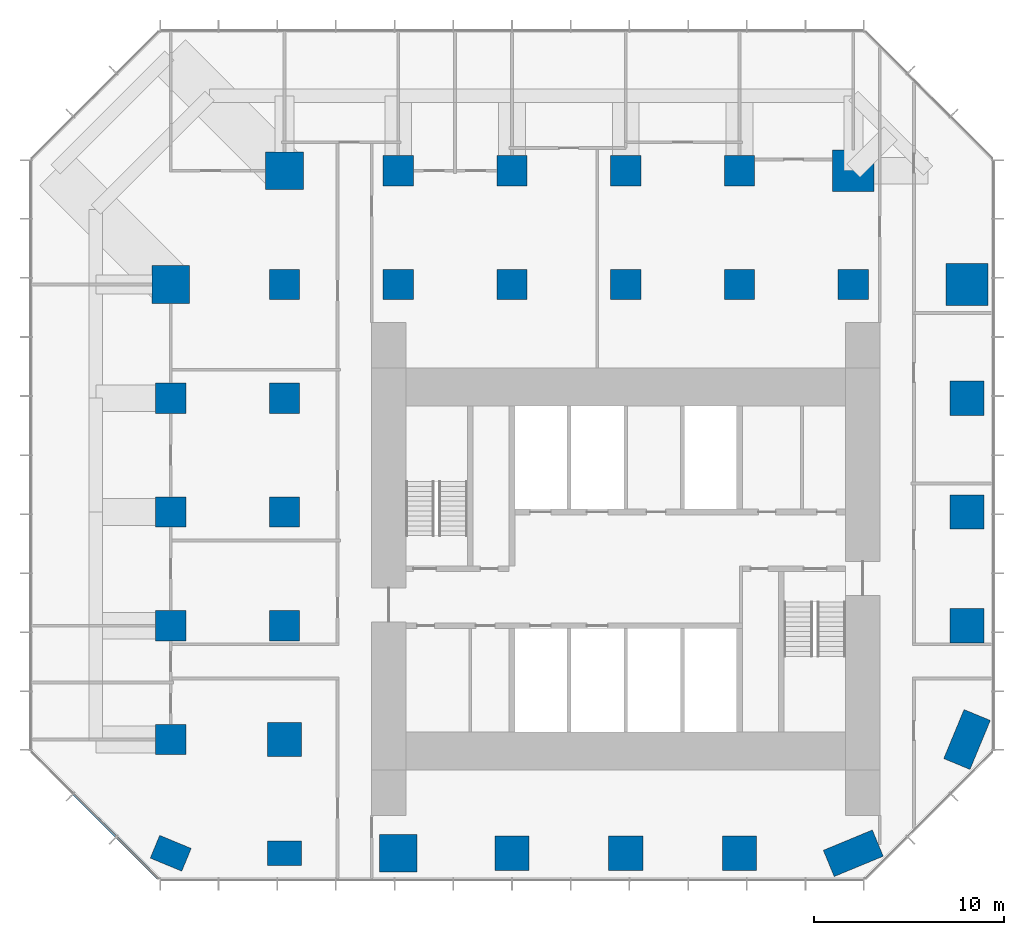
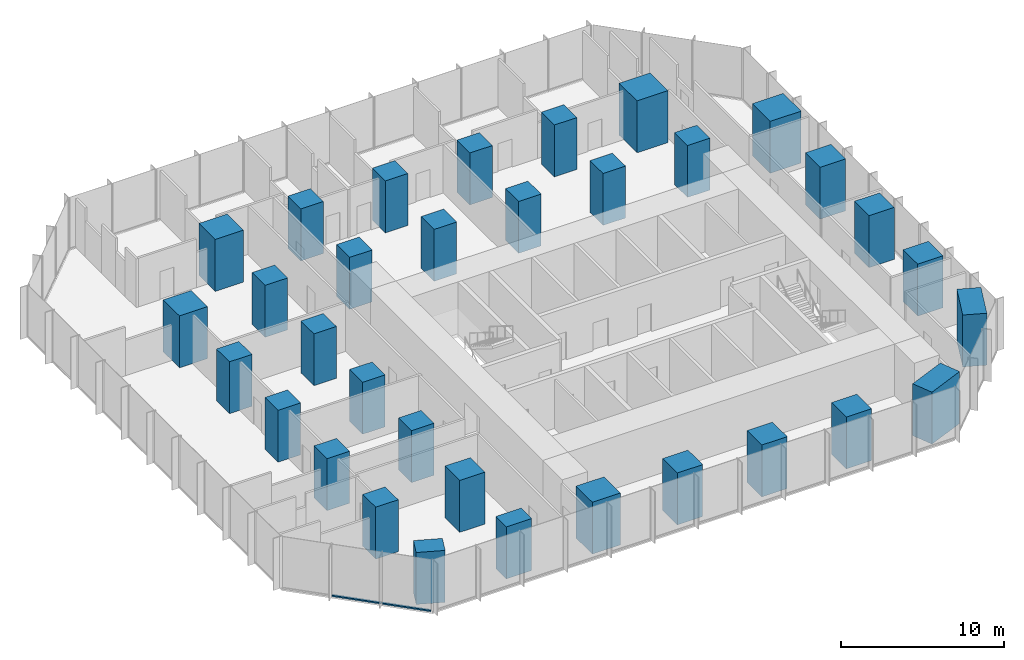
# One storey, part 1 of 12: 33 columns, 2 members, 1 element without a shape of its own.
"""IFC4 building model written with IfcOpenShell, lengths in metres."""

from ifc_helpers import new_model, si_unit, direction, frame, origin, origin_2d, place, context, subcontext, project, spatial, rectangle, extrude, material, layer, layer_set, material_profile, profile_set, type_object, element, aggregate, save


model = new_model("IFC4")

# Units and contexts
model_context = context("Model", 3, precision=1e-05, world=origin(), true_north=direction((0.0, 1.0)))
body_context = subcontext(model_context, "Body", "Model", "MODEL_VIEW")
ifc_project = project(units=[si_unit("LENGTHUNIT", "METRE"), si_unit("AREAUNIT", "SQUARE_METRE"), si_unit("VOLUMEUNIT", "CUBIC_METRE"), si_unit("PLANEANGLEUNIT", "RADIAN"), si_unit("MASSUNIT", "GRAM", prefix="KILO")], contexts=[model_context])

# Site, building, storey
site_placement = place(None, origin())
site = spatial("IfcSite", under=ifc_project, at=site_placement, CompositionType="ELEMENT")
building_placement = place(site_placement, origin())
building = spatial("IfcBuilding", under=site, at=building_placement, Name="Highveld Stack Headquarters", CompositionType="ELEMENT")
storey_placement = place(building_placement, frame((0.0, 0.0, 101.60009765625)))
storey = spatial("IfcBuildingStorey", under=building, at=storey_placement, Name="L24", CompositionType="ELEMENT", Elevation=101.60009765625)

# Columns
ifc_material_1 = material(Name="Concrete C60/75", Category="concrete")
ifc_material_profile_1 = material_profile(ifc_material_1, rectangle(XDim=1.60009765625, YDim=1.60009765625, at=origin_2d()), Name="RC 1600x1600")
ifc_profile_set_1 = profile_set([ifc_material_profile_1], Name="Concrete C60/75")
column_type_1 = type_object("IfcColumnType", Name="COLUMN RC 1600x1600 C60/75", PredefinedType="COLUMN", material=ifc_profile_set_1)
for number, where, z_axis, x_axis, name in (
    (1, (-18.0, -6.0, 0.0), (0.0, 0.0, 1.0), (1.0, 0.0, 0.0), "Column 3/D L24"),
    (2, (-18.0, 0.0, 0.0), (0.0, 0.0, 1.0), (1.0, 0.0, 0.0), "Column 3/E L24"),
    (3, (-18.0, 6.0, 0.0), (0.0, 0.0, 1.0), (1.0, 0.0, 0.0), "Column 3/F L24"),
    (4, (-18.0, 12.0, 0.0), (0.0, 0.0, 1.0), (1.0, 0.0, 0.0), "Column 3/G L24"),
    (5, (-12.0, 0.0, 0.0), (0.0, 0.0, 1.0), (1.0, 0.0, 0.0), "Column 4/E L24"),
    (6, (-12.0, 6.0, 0.0), (0.0, 0.0, 1.0), (1.0, 0.0, 0.0), "Column 4/F L24"),
    (7, (-12.0, 12.0, 0.0), (0.0, 0.0, 1.0), (1.0, 0.0, 0.0), "Column 4/G L24"),
    (8, (-12.0, 18.0, 0.0), (0.0, 0.0, 1.0), (1.0, 0.0, 0.0), "Column 4/H L24"),
    (9, (-6.0, 18.0, 0.0), (0.0, 0.0, 1.0), (1.0, 0.0, 0.0), "Column 5/H L24"),
    (10, (-6.0, 24.0, 0.0), (0.0, 0.0, 1.0), (1.0, 0.0, 0.0), "Column 5/J L24"),
    (11, (0.0, 18.0, 0.0), (0.0, 0.0, 1.0), (1.0, 0.0, 0.0), "Column 6/H L24"),
    (12, (0.0, 24.0, 0.0), (0.0, 0.0, 1.0), (1.0, 0.0, 0.0), "Column 6/J L24"),
    (13, (6.0, 18.0, 0.0), (0.0, 0.0, 1.0), (1.0, 0.0, 0.0), "Column 7/H L24"),
    (14, (6.0, 24.0, 0.0), (0.0, 0.0, 1.0), (1.0, 0.0, 0.0), "Column 7/J L24"),
    (15, (12.0, 18.0, 0.0), (0.0, 0.0, 1.0), (1.0, 0.0, 0.0), "Column 8/H L24"),
    (16, (12.0, 24.0, 0.0), (0.0, 0.0, 1.0), (1.0, 0.0, 0.0), "Column 8/J L24"),
    (17, (18.0, 18.0, 0.0), (0.0, 0.0, 1.0), (1.0, 0.0, 0.0), "Column 9/H L24"),
):
    element("IfcColumn", number, at=place(storey_placement, frame(where, z_axis=z_axis, x_axis=x_axis)), inside=storey, type_object=column_type_1, Name=name, PredefinedType="COLUMN", context=body_context, shape_type="SweptSolid", body=[
        extrude(rectangle(XDim=1.60009765625, YDim=1.60009765625, at=origin_2d()), origin(), (0.0, 0.0, 1.0), 3.89990234375),
    ])
ifc_material_2 = material(Name="Concrete C60/75", Category="concrete")
ifc_material_profile_2 = material_profile(ifc_material_2, rectangle(XDim=1.800048828125, YDim=1.300048828125, at=origin_2d()), Name="RC 1800x1300")
ifc_profile_set_2 = profile_set([ifc_material_profile_2], Name="Concrete C60/75")
column_type_2 = type_object("IfcColumnType", Name="COLUMN RC 1800x1300 C60/75", PredefinedType="COLUMN", material=ifc_profile_set_2)
for number, where, z_axis, x_axis, name in (
    (18, (-18.0, -12.0, 0.0), (0.0, 0.0, 1.0), (-0.923879532511, 0.382683432365, 0.0), "Column 3/C L24"),
    (19, (-12.0, -12.0, 0.0), (0.0, 0.0, 1.0), (1.0, 0.0, 0.0), "Column 4/C L24"),
):
    element("IfcColumn", number, at=place(storey_placement, frame(where, z_axis=z_axis, x_axis=x_axis)), inside=storey, type_object=column_type_2, Name=name, PredefinedType="COLUMN", context=body_context, shape_type="SweptSolid", body=[
        extrude(rectangle(XDim=1.800048828125, YDim=1.300048828125, at=origin_2d()), origin(), (0.0, 0.0, 1.0), 3.89990234375),
    ])
ifc_material_3 = material(Name="Concrete C60/75", Category="concrete")
ifc_material_profile_3 = material_profile(ifc_material_3, rectangle(XDim=1.800048828125, YDim=1.800048828125, at=origin_2d()), Name="RC 1800x1800")
ifc_profile_set_3 = profile_set([ifc_material_profile_3], Name="Concrete C60/75")
column_type_3 = type_object("IfcColumnType", Name="COLUMN RC 1800x1800 C60/75", PredefinedType="COLUMN", material=ifc_profile_set_3)
for number, where, z_axis, x_axis, name in (
    (20, (-12.0, -6.0, 0.0), (0.0, 0.0, 1.0), (1.0, 0.0, 0.0), "Column 4/D L24"),
    (21, (0.0, -12.0, 0.0), (0.0, 0.0, 1.0), (1.0, 0.0, 0.0), "Column 6/C L24"),
    (22, (6.0, -12.0, 0.0), (0.0, 0.0, 1.0), (1.0, 0.0, 0.0), "Column 7/C L24"),
    (23, (12.0, -12.0, 0.0), (0.0, 0.0, 1.0), (1.0, 0.0, 0.0), "Column 8/C L24"),
    (24, (24.0, 0.0, 0.0), (0.0, 0.0, 1.0), (1.0, 0.0, 0.0), "Column 10/E L24"),
    (25, (24.0, 6.0, 0.0), (0.0, 0.0, 1.0), (1.0, 0.0, 0.0), "Column 10/F L24"),
    (26, (24.0, 12.0, 0.0), (0.0, 0.0, 1.0), (1.0, 0.0, 0.0), "Column 10/G L24"),
):
    element("IfcColumn", number, at=place(storey_placement, frame(where, z_axis=z_axis, x_axis=x_axis)), inside=storey, type_object=column_type_3, Name=name, PredefinedType="COLUMN", context=body_context, shape_type="SweptSolid", body=[
        extrude(rectangle(XDim=1.800048828125, YDim=1.800048828125, at=origin_2d()), origin(), (0.0, 0.0, 1.0), 3.89990234375),
    ])
ifc_material_4 = material(Name="Concrete C60/75", Category="concrete")
ifc_material_profile_4 = material_profile(ifc_material_4, rectangle(XDim=2.0, YDim=2.0, at=origin_2d()), Name="RC 2000x2000")
ifc_profile_set_4 = profile_set([ifc_material_profile_4], Name="Concrete C60/75")
column_type_4 = type_object("IfcColumnType", Name="COLUMN RC 2000x2000 C60/75", PredefinedType="COLUMN", material=ifc_profile_set_4)
for number, where, z_axis, x_axis, name in (
    (27, (-18.0, 18.0, 0.0), (0.0, 0.0, 1.0), (1.0, 0.0, 0.0), "Column 3/H L24"),
    (28, (-12.0, 24.0, 0.0), (0.0, 0.0, 1.0), (1.0, 0.0, 0.0), "Column 4/J L24"),
    (29, (-6.0, -12.0, 0.0), (0.0, 0.0, 1.0), (1.0, 0.0, 0.0), "Column 5/C L24"),
):
    element("IfcColumn", number, at=place(storey_placement, frame(where, z_axis=z_axis, x_axis=x_axis)), inside=storey, type_object=column_type_4, Name=name, PredefinedType="COLUMN", context=body_context, shape_type="SweptSolid", body=[
        extrude(rectangle(XDim=2.0, YDim=2.0, at=origin_2d()), origin(), (0.0, 0.0, 1.0), 3.89990234375),
    ])
ifc_material_5 = material(Name="Concrete C60/75", Category="concrete")
ifc_material_profile_5 = material_profile(ifc_material_5, rectangle(XDim=2.199951171875, YDim=2.199951171875, at=origin_2d()), Name="RC 2200x2200")
ifc_profile_set_5 = profile_set([ifc_material_profile_5], Name="Concrete C60/75")
column_type_5 = type_object("IfcColumnType", Name="COLUMN RC 2200x2200 C60/75", PredefinedType="COLUMN", material=ifc_profile_set_5)
for number, where, z_axis, x_axis, name in (
    (30, (18.0, 24.0, 0.0), (0.0, 0.0, 1.0), (1.0, 0.0, 0.0), "Column 9/J L24"),
    (31, (24.0, 18.0, 0.0), (0.0, 0.0, 1.0), (1.0, 0.0, 0.0), "Column 10/H L24"),
):
    element("IfcColumn", number, at=place(storey_placement, frame(where, z_axis=z_axis, x_axis=x_axis)), inside=storey, type_object=column_type_5, Name=name, PredefinedType="COLUMN", context=body_context, shape_type="SweptSolid", body=[
        extrude(rectangle(XDim=2.199951171875, YDim=2.199951171875, at=origin_2d()), origin(), (0.0, 0.0, 1.0), 3.89990234375),
    ])
ifc_material_6 = material(Name="Concrete C60/75", Category="concrete")
ifc_material_profile_6 = material_profile(ifc_material_6, rectangle(XDim=2.800048828125, YDim=1.5, at=origin_2d()), Name="RC 2800x1500")
ifc_profile_set_6 = profile_set([ifc_material_profile_6], Name="Concrete C60/75")
column_type_6 = type_object("IfcColumnType", Name="COLUMN RC 2800x1500 C60/75", PredefinedType="COLUMN", material=ifc_profile_set_6)
for number, where, z_axis, x_axis, name in (
    (32, (18.0, -12.0, 0.0), (0.0, 0.0, 1.0), (-0.923879532511, -0.382683432365, 0.0), "Column 9/C L24"),
    (33, (24.0, -6.0, 0.0), (0.0, 0.0, 1.0), (-0.382683432365, -0.923879532511, 0.0), "Column 10/D L24"),
):
    element("IfcColumn", number, at=place(storey_placement, frame(where, z_axis=z_axis, x_axis=x_axis)), inside=storey, type_object=column_type_6, Name=name, PredefinedType="COLUMN", context=body_context, shape_type="SweptSolid", body=[
        extrude(rectangle(XDim=2.800048828125, YDim=1.5, at=origin_2d()), origin(), (0.0, 0.0, 1.0), 3.89990234375),
    ])

# Curtain wall, members
ifc_material_7 = material(Name="Aluminium bronze anodised", Category="aluminium")
ifc_layer = layer(ifc_material_7, 0.199951171875)
ifc_layer_set = layer_set([ifc_layer], Name="Aluminium bronze anodised")
curtain_wall_type = type_object("IfcCurtainWallType", Name="CW2 TOWER CHAMFER UNITISED CURTAIN WALL", PredefinedType="NOTDEFINED", material=ifc_layer_set)
curtain_wall_placement = place(storey_placement, origin())
curtain_wall = element("IfcCurtainWall", 34, at=curtain_wall_placement, inside=storey, type_object=curtain_wall_type, Name="Curtain wall CW2 L24 SW", PredefinedType="NOTDEFINED")
ifc_material_8 = material(Name="Aluminium bronze anodised", Category="aluminium")
ifc_material_profile_7 = material_profile(ifc_material_8, rectangle(XDim=0.14990234375, YDim=0.10009765625, at=origin_2d()), Name="CW2 TRANSOM 150x100")
ifc_profile_set_7 = profile_set([ifc_material_profile_7], Name="Aluminium bronze anodised")
member_type = type_object("IfcMemberType", Name="CW2 STACK TRANSOM 150x100", PredefinedType="USERDEFINED", material=ifc_profile_set_7)
member_1_placement = place(storey_placement, frame((-23.103759765625, -8.876220703125, 0.0498046875), z_axis=(0.707106781187, -0.707106781187, 0.0), x_axis=(0.707106781187, 0.707106781187, 0.0)))
member_1 = element("IfcMember", 35, at=member_1_placement, type_object=member_type, Name="CW2 transom L24 2.1", ObjectType="TRANSOM", PredefinedType="USERDEFINED", context=body_context, shape_type="SweptSolid", body=[
    extrude(rectangle(XDim=0.14990234375, YDim=0.10009765625, at=origin_2d()), origin(), (0.0, 0.0, 1.0), 3.150146484375),
])
member_2_placement = place(storey_placement, frame((-20.830322265625, -11.149658203125, 0.0498046875), z_axis=(0.707106781187, -0.707106781187, 0.0), x_axis=(0.707106781187, 0.707106781187, 0.0)))
member_2 = element("IfcMember", 36, at=member_2_placement, type_object=member_type, Name="CW2 transom L24 3.1", ObjectType="TRANSOM", PredefinedType="USERDEFINED", context=body_context, shape_type="SweptSolid", body=[
    extrude(rectangle(XDim=0.14990234375, YDim=0.10009765625, at=origin_2d()), origin(), (0.0, 0.0, 1.0), 3.08251953125),
])
aggregate(curtain_wall, [member_1, member_2])

save(model, "model.ifc")
